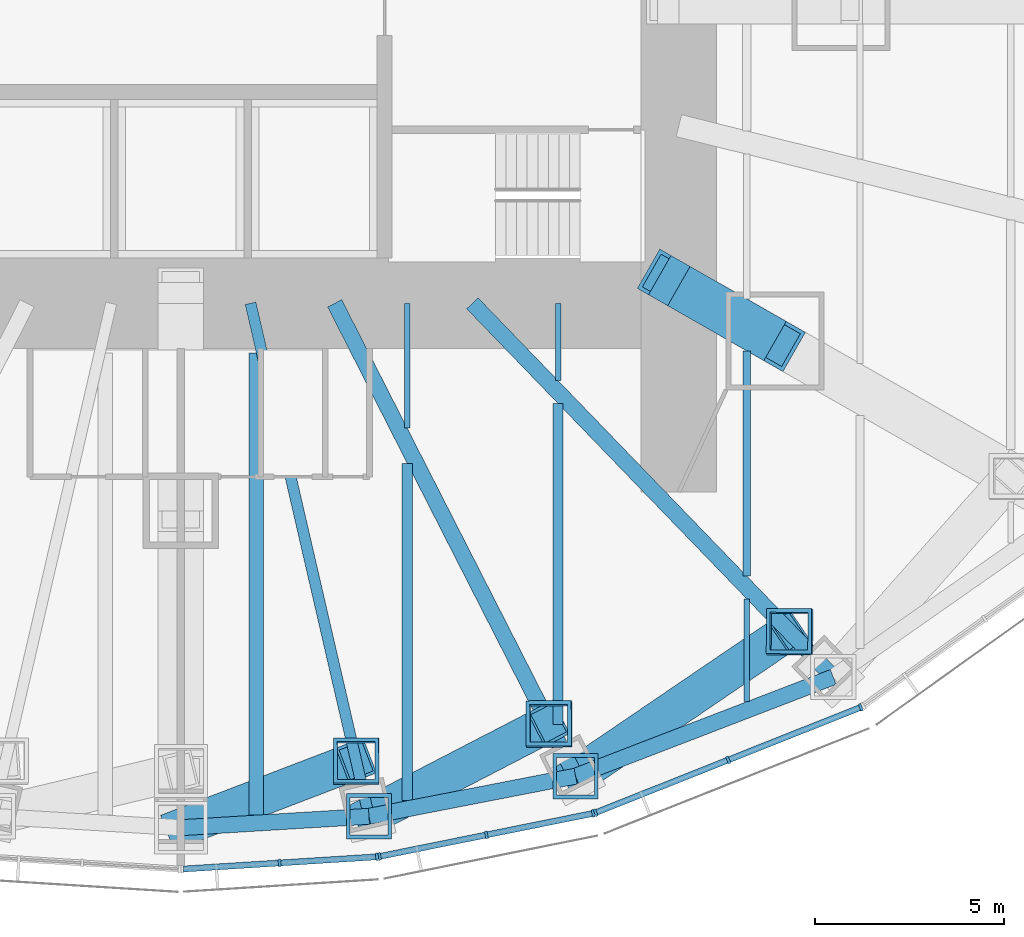
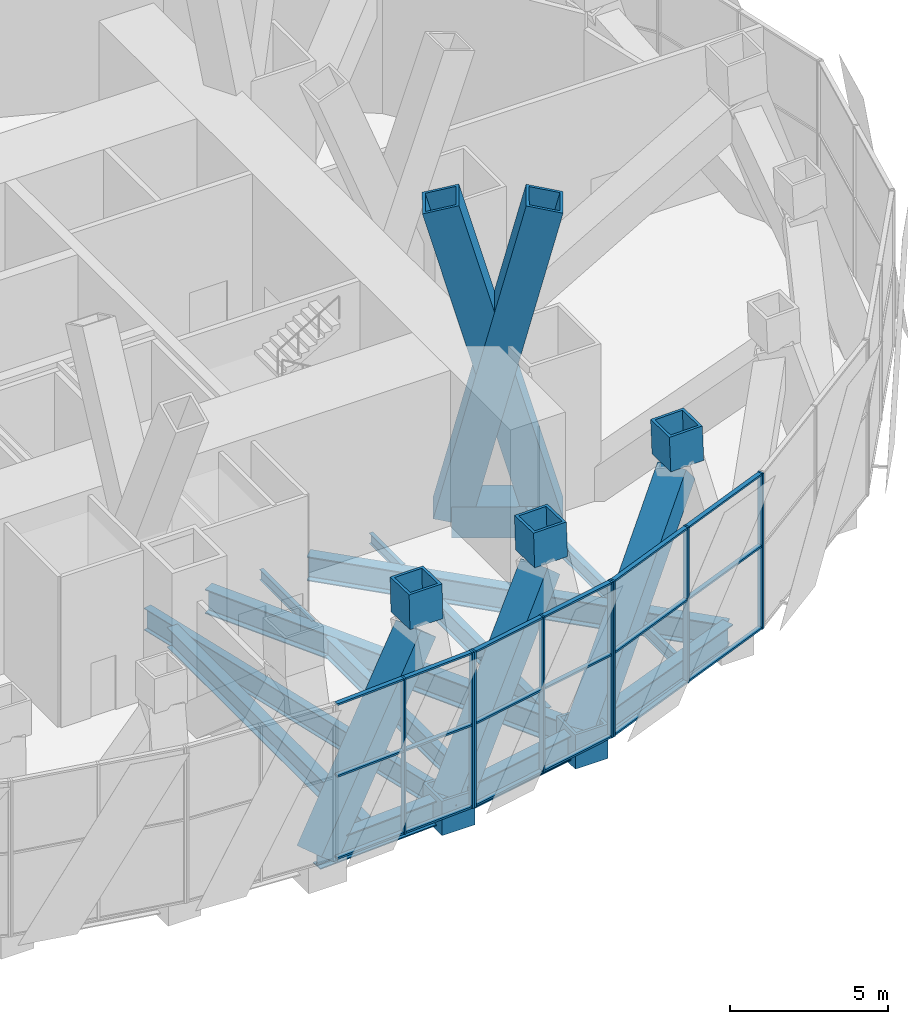
# One storey, part 5 of 21: 36 members, 14 beams, 3 elements without a shape of their own.
"""IFC4 building model written with IfcOpenShell, lengths in metres."""

import ifcopenshell
import ifcopenshell.guid

model = None  # the IFC model being written
_history = None  # IfcOwnerHistory: only IFC2X3 demands one
_inside = {}  # id of a spatial element -> (the spatial element, [elements in it])
_under = {}  # id of a project, library or spatial element -> (it, [spatial elements below it])
_declared = {}  # id of a project -> (the project, [libraries it declares])
_typed = {}  # id of a type object -> (the type object, [elements of that type])
_made_of = {}  # id of a material, layer set ... -> (it, [elements and type objects made of it])


def new_model(schema):
    """Start an empty IFC model of exactly this schema.

    Asked for "IFC4X3", IfcOpenShell would pick the latest addendum, in which some entities
    have other attributes; the version numbers below select the first issue.
    IFC2X3 requires an IfcOwnerHistory on every rooted entity: one is made here for all.
    """
    global model, _history
    if schema == "IFC4X3":
        model = ifcopenshell.file(schema_version=(4, 3, 0, 0))
    else:
        model = ifcopenshell.file(schema=schema)
    _inside.clear()
    _under.clear()
    _declared.clear()
    _typed.clear()
    _made_of.clear()
    _history = None
    if model.schema == "IFC2X3":
        org = make("IfcOrganization", Name="unknown")
        user = make(
            "IfcPersonAndOrganization",
            ThePerson=make("IfcPerson", FamilyName="unknown"),
            TheOrganization=org,
        )
        app = make(
            "IfcApplication",
            ApplicationDeveloper=org,
            Version="unknown",
            ApplicationFullName="unknown",
            ApplicationIdentifier="unknown",
        )
        _history = make(
            "IfcOwnerHistory",
            OwningUser=user,
            OwningApplication=app,
            ChangeAction="ADDED",
            CreationDate=0,
        )
    return model


def make(cls, **values):
    """One entity of the class cls with the attributes given. An attribute that is None is left unset."""
    return model.create_entity(
        cls, **{name: value for name, value in values.items() if value is not None}
    )


def rooted(cls, **values):
    """An entity with a GlobalId (a new one), such as an element, a storey or a relation."""
    return make(cls, GlobalId=ifcopenshell.guid.new(), OwnerHistory=_history, **values)


def si_unit(unit_type, name, prefix=None):
    """IfcSIUnit, for example si_unit("LENGTHUNIT", "METRE", prefix="MILLI")."""
    return make("IfcSIUnit", UnitType=unit_type, Prefix=prefix, Name=name)


def assignment(units):
    """IfcUnitAssignment: the units of a project."""
    return None if units is None else make("IfcUnitAssignment", Units=units)


def point(xyz):
    """IfcCartesianPoint."""
    return None if xyz is None else make("IfcCartesianPoint", Coordinates=xyz)


def direction(xyz):
    """IfcDirection."""
    return None if xyz is None else make("IfcDirection", DirectionRatios=xyz)


def frame(location, z_axis=None, x_axis=None):
    """IfcAxis2Placement3D, a coordinate frame: its origin and axes. An axis left out is left unset."""
    return make(
        "IfcAxis2Placement3D",
        Location=point(location),
        Axis=direction(z_axis),
        RefDirection=direction(x_axis),
    )


def frame_2d(location, x_axis=None):
    """IfcAxis2Placement2D, a coordinate frame in the plane: its origin and x axis."""
    return make(
        "IfcAxis2Placement2D", Location=point(location), RefDirection=direction(x_axis)
    )


def origin():
    """The frame at (0, 0, 0) with its axes left unset."""
    return frame((0.0, 0.0, 0.0))


def origin_2d():
    """The frame at (0, 0) in the plane with its x axis left unset."""
    return frame_2d((0.0, 0.0))


def place(relative_to, where):
    """IfcLocalPlacement: puts the frame where relative to a parent placement (None: the world)."""
    return make(
        "IfcLocalPlacement", PlacementRelTo=relative_to, RelativePlacement=where
    )


def context(
    kind, dimensions, precision=None, world=None, true_north=None, identifier=None
):
    """IfcGeometricRepresentationContext, for example the 3D "Model" context."""
    return make(
        "IfcGeometricRepresentationContext",
        ContextIdentifier=identifier,
        ContextType=kind,
        CoordinateSpaceDimension=dimensions,
        Precision=precision,
        WorldCoordinateSystem=world,
        TrueNorth=true_north,
    )


def subcontext(parent, identifier, kind, view, scale=None):
    """IfcGeometricRepresentationSubContext, for example "Body" below "Model"."""
    return make(
        "IfcGeometricRepresentationSubContext",
        ContextIdentifier=identifier,
        ContextType=kind,
        ParentContext=parent,
        TargetScale=scale,
        TargetView=view,
    )


def project(units=None, contexts=None):
    """IfcProject with its units and contexts."""
    return rooted(
        "IfcProject",
        Name="project",
        RepresentationContexts=contexts,
        UnitsInContext=assignment(units),
    )


def spatial(cls, under=None, at=None, **own):
    """A site, building, storey or space (cls), placed at a placement, below another one or the project."""
    s = rooted(cls, ObjectPlacement=at, **own)
    if under is not None:
        _under.setdefault(under.id(), (under, []))[1].append(s)
    return s


def profile(cls, at=None, kind="AREA", **sizes):
    """A parametric profile (cls). Its sizes go by their IFC names, for example OverallWidth=200.0."""
    return make(cls, ProfileType=kind, Position=at, **sizes)


def rectangle(**sizes):
    """IfcRectangleProfileDef."""
    return profile("IfcRectangleProfileDef", **sizes)


def hollow_rectangle(**sizes):
    """IfcRectangleHollowProfileDef."""
    return profile("IfcRectangleHollowProfileDef", **sizes)


def i_section(**sizes):
    """IfcIShapeProfileDef."""
    return profile("IfcIShapeProfileDef", **sizes)


def extrude(swept, where, along, depth):
    """IfcExtrudedAreaSolid: the profile swept, set in the frame where, extruded along a direction by depth."""
    return make(
        "IfcExtrudedAreaSolid",
        SweptArea=swept,
        Position=where,
        ExtrudedDirection=direction(along),
        Depth=depth,
    )


def shape(context_of_items, identifier, shape_type, items):
    """IfcShapeRepresentation: the items that make up one representation, for example the "Body"."""
    return make(
        "IfcShapeRepresentation",
        ContextOfItems=context_of_items,
        RepresentationIdentifier=identifier,
        RepresentationType=shape_type,
        Items=items,
    )


def material(Name=None, Category=None):
    """IfcMaterial."""
    return make("IfcMaterial", Name=Name, Category=Category)


def material_profile(
    of_material, cross_section, Name=None, Category=None, Priority=None
):
    """IfcMaterialProfile: a cross section and its material."""
    return make(
        "IfcMaterialProfile",
        Name=Name,
        Material=of_material,
        Profile=cross_section,
        Priority=Priority,
        Category=Category,
    )


def profile_set(profiles, Name=None, composite=None):
    """IfcMaterialProfileSet."""
    return make(
        "IfcMaterialProfileSet",
        Name=Name,
        MaterialProfiles=profiles,
        CompositeProfile=composite,
    )


def made_of(thing, what):
    """Note that an element or type object is made of a material, layer set ...; save() writes the relation."""
    if what is not None:
        _made_of.setdefault(what.id(), (what, []))[1].append(thing)
    return thing


def type_object(cls, material=None, **own):
    """A type object (cls), such as IfcWallType, which elements share."""
    return made_of(rooted(cls, **own), material)


def element(
    cls,
    number,
    at=None,
    inside=None,
    cuts=None,
    type_object=None,
    material=None,
    context=None,
    identifier="Body",
    shape_type=None,
    held_by="IfcProductDefinitionShape",
    body=None,
    shapes=None,
    **own,
):
    """One element of the class cls, such as IfcWall. Its Tag is "e" and its number.

    at: its placement. inside: the storey or other place that contains it. cuts: it is an
    opening in that element (IfcRelVoidsElement). A single representation is given by context,
    identifier, shape_type and body (its items); several are given by shapes. held_by: the class
    of the entity that holds the representations. save() writes the other relations.
    """
    e = rooted(cls, Tag="e%d" % number, ObjectPlacement=at, **own)
    if body is not None:
        shapes = [shape(context, identifier, shape_type, body)]
    if shapes is not None:
        e.Representation = make(held_by, Representations=shapes)
    if inside is not None:
        _inside.setdefault(inside.id(), (inside, []))[1].append(e)
    if cuts is not None:
        rooted(
            "IfcRelVoidsElement", RelatingBuildingElement=cuts, RelatedOpeningElement=e
        )
    if type_object is not None:
        _typed.setdefault(type_object.id(), (type_object, []))[1].append(e)
    return made_of(e, material)


def aggregate(whole, parts):
    """IfcRelAggregates: a whole, such as a stair, and the parts it consists of."""
    return rooted("IfcRelAggregates", RelatingObject=whole, RelatedObjects=parts)


def save(model, path):
    """Write the relations noted so far, then the file.

    IfcRelAggregates (storeys below a building ...), IfcRelContainedInSpatialStructure (elements
    in a storey), IfcRelDefinesByType, IfcRelAssociatesMaterial and IfcRelDeclares: one each for
    every whole, place, type object, material and project.
    """
    for whole, parts in _under.values():
        aggregate(whole, parts)
    for where, things in _inside.values():
        rooted(
            "IfcRelContainedInSpatialStructure",
            RelatedElements=things,
            RelatingStructure=where,
        )
    for kind, things in _typed.values():
        rooted("IfcRelDefinesByType", RelatedObjects=things, RelatingType=kind)
    for what, things in _made_of.values():
        rooted("IfcRelAssociatesMaterial", RelatedObjects=things, RelatingMaterial=what)
    for by, libraries in _declared.values():
        rooted("IfcRelDeclares", RelatingContext=by, RelatedDefinitions=libraries)
    model.write(path)


model = new_model("IFC4")

# Units and contexts
model_context = context("Model", 3, precision=1e-05, world=origin(), true_north=direction((0.0, 1.0)))
body_context = subcontext(model_context, "Body", "Model", "MODEL_VIEW")
ifc_project = project(units=[si_unit("LENGTHUNIT", "METRE"), si_unit("AREAUNIT", "SQUARE_METRE"), si_unit("VOLUMEUNIT", "CUBIC_METRE"), si_unit("PLANEANGLEUNIT", "RADIAN"), si_unit("MASSUNIT", "GRAM", prefix="KILO")], contexts=[model_context])

# Site, building, storey
site_placement = place(None, origin())
site = spatial("IfcSite", under=ifc_project, at=site_placement, CompositionType="ELEMENT")
building_placement = place(site_placement, origin())
building = spatial("IfcBuilding", under=site, at=building_placement, Name="Lantaw Convention Tower", CompositionType="ELEMENT")
storey_placement = place(building_placement, frame((0.0, 0.0, 105.39990234375)))
storey = spatial("IfcBuildingStorey", under=building, at=storey_placement, Name="L25", CompositionType="ELEMENT", Elevation=105.39990234375)

# Beams
ifc_material_1 = material(Name="Steel ASTM A992", Category="steel")
ifc_material_profile_1 = material_profile(ifc_material_1, i_section(OverallWidth=0.424072265625, OverallDepth=0.947509765625, WebThickness=0.02392578125, FlangeThickness=0.042724609375, FilletRadius=0.012451171875, at=origin_2d()), Name="W36X302")
ifc_profile_set_1 = profile_set([ifc_material_profile_1], Name="Steel ASTM A992")
beam_type_1 = type_object("IfcBeamType", Name="Beam BC W36X302", PredefinedType="SPANDREL", material=ifc_profile_set_1)
beam_1_placement = place(storey_placement, frame((0.0, -21.89990234375, -0.673583984375), z_axis=(0.998173858406, 0.060406526096, 0.0), x_axis=(-0.060406526096, 0.998173858406, 0.0)))
element("IfcBeam", 1, at=beam_1_placement, inside=storey, type_object=beam_type_1, Name="Belt truss chord 19", PredefinedType="SPANDREL", context=body_context, shape_type="SweptSolid", body=[
    extrude(i_section(OverallWidth=0.424072265625, OverallDepth=0.947509765625, WebThickness=0.02392578125, FlangeThickness=0.042724609375, FilletRadius=0.012451171875, at=origin_2d()), origin(), (0.0, 0.0, 1.0), 4.995361328125),
])
beam_2_placement = place(storey_placement, frame((4.986328125, -21.59814453125, -0.673583984375), z_axis=(0.981636565323, 0.190760723474, 0.0), x_axis=(-0.190760723474, 0.981636565323, 0.0)))
element("IfcBeam", 2, at=beam_2_placement, inside=storey, type_object=beam_type_1, Name="Belt truss chord 20", PredefinedType="SPANDREL", context=body_context, shape_type="SweptSolid", body=[
    extrude(i_section(OverallWidth=0.424072265625, OverallDepth=0.947509765625, WebThickness=0.02392578125, FlangeThickness=0.042724609375, FilletRadius=0.012451171875, at=origin_2d()), origin(), (0.0, 0.0, 1.0), 5.578857421875),
])
beam_3_placement = place(storey_placement, frame((10.462646484375, -20.533935546875, -0.673583984375), z_axis=(0.933232900641, 0.359271976588, 0.0), x_axis=(-0.359271976588, 0.933232900641, 0.0)))
element("IfcBeam", 3, at=beam_3_placement, inside=storey, type_object=beam_type_1, Name="Belt truss chord 21", PredefinedType="SPANDREL", context=body_context, shape_type="SweptSolid", body=[
    extrude(i_section(OverallWidth=0.424072265625, OverallDepth=0.947509765625, WebThickness=0.02392578125, FlangeThickness=0.042724609375, FilletRadius=0.012451171875, at=origin_2d()), origin(), (0.0, 0.0, 1.0), 7.316650390625),
])
ifc_material_profile_2 = material_profile(ifc_material_1, i_section(OverallWidth=0.2919921875, OverallDepth=0.845703125, WebThickness=0.015380859375, FlangeThickness=0.0244140625, FilletRadius=0.01513671875, at=origin_2d()), Name="W33X141")
ifc_profile_set_2 = profile_set([ifc_material_profile_2], Name="Steel ASTM A992")
beam_type_2 = type_object("IfcBeamType", Name="Beam G W33X141", PredefinedType="BEAM", material=ifc_profile_set_2)
beam_4_placement = place(storey_placement, frame((1.846923828125, -8.0, -0.622802734375), z_axis=(0.224952773175, -0.97436966796, 0.0), x_axis=(0.97436966796, 0.224952773175, 0.0)))
element("IfcBeam", 4, at=beam_4_placement, inside=storey, type_object=beam_type_2, Name="Floor girder on ray 20", PredefinedType="BEAM", context=body_context, shape_type="SweptSolid", body=[
    extrude(i_section(OverallWidth=0.2919921875, OverallDepth=0.845703125, WebThickness=0.015380859375, FlangeThickness=0.0244140625, FilletRadius=0.01513671875, at=origin_2d()), origin(), (0.0, 0.0, 1.0), 13.955810546875),
])
ifc_material_profile_3 = material_profile(ifc_material_1, i_section(OverallWidth=0.421630859375, OverallDepth=0.937255859375, WebThickness=0.0224609375, FlangeThickness=0.039794921875, FilletRadius=0.02001953125, at=origin_2d()), Name="W36X282")
ifc_profile_set_3 = profile_set([ifc_material_profile_3], Name="Steel ASTM A992")
beam_type_3 = type_object("IfcBeamType", Name="Beam G W36X282", PredefinedType="BEAM", material=ifc_profile_set_3)
beam_5_placement = place(storey_placement, frame((4.076171875, -8.0, -0.66845703125), z_axis=(0.453997016122, -0.891003203896, 0.0), x_axis=(0.891003203896, 0.453997016122, 0.0)))
element("IfcBeam", 5, at=beam_5_placement, inside=storey, type_object=beam_type_3, Name="Floor girder on ray 21", PredefinedType="BEAM", context=body_context, shape_type="SweptSolid", body=[
    extrude(i_section(OverallWidth=0.421630859375, OverallDepth=0.937255859375, WebThickness=0.0224609375, FlangeThickness=0.039794921875, FilletRadius=0.02001953125, at=origin_2d()), origin(), (0.0, 0.0, 1.0), 14.067138671875),
])
beam_6_placement = place(storey_placement, frame((7.7255859375, -8.0, -0.66845703125), z_axis=(0.694649884291, -0.719347995239, 0.0), x_axis=(0.719347995239, 0.694649884291, 0.0)))
element("IfcBeam", 6, at=beam_6_placement, inside=storey, type_object=beam_type_3, Name="Floor girder on ray 22", PredefinedType="BEAM", context=body_context, shape_type="SweptSolid", body=[
    extrude(i_section(OverallWidth=0.421630859375, OverallDepth=0.937255859375, WebThickness=0.0224609375, FlangeThickness=0.039794921875, FilletRadius=0.02001953125, at=origin_2d()), origin(), (0.0, 0.0, 1.0), 13.769775390625),
])
ifc_material_profile_4 = material_profile(ifc_material_1, i_section(OverallWidth=0.140380859375, OverallDepth=0.40380859375, WebThickness=0.007080078125, FlangeThickness=0.01123046875, FilletRadius=0.01025390625, at=origin_2d()), Name="W16X31")
ifc_profile_set_4 = profile_set([ifc_material_profile_4], Name="Steel ASTM A992")
beam_type_4 = type_object("IfcBeamType", Name="Beam J W16X31", PredefinedType="JOIST", material=ifc_profile_set_4)
beam_7_placement = place(storey_placement, frame((6.0, -11.311279296875, -0.40185546875), z_axis=(0.0, 1.0, 0.0), x_axis=(-1.0, 0.0, 0.0)))
element("IfcBeam", 7, at=beam_7_placement, inside=storey, type_object=beam_type_4, Name="Floor joist", PredefinedType="JOIST", context=body_context, shape_type="SweptSolid", body=[
    extrude(i_section(OverallWidth=0.140380859375, OverallDepth=0.40380859375, WebThickness=0.007080078125, FlangeThickness=0.01123046875, FilletRadius=0.01025390625, at=origin_2d()), origin(), (0.0, 0.0, 1.0), 3.311279296875),
])
beam_8_placement = place(storey_placement, frame((10.0, -10.0517578125, -0.40185546875), z_axis=(0.0, 1.0, 0.0), x_axis=(-1.0, 0.0, 0.0)))
element("IfcBeam", 8, at=beam_8_placement, inside=storey, type_object=beam_type_4, Name="Floor joist", PredefinedType="JOIST", context=body_context, shape_type="SweptSolid", body=[
    extrude(i_section(OverallWidth=0.140380859375, OverallDepth=0.40380859375, WebThickness=0.007080078125, FlangeThickness=0.01123046875, FilletRadius=0.01025390625, at=origin_2d()), origin(), (0.0, 0.0, 1.0), 2.0517578125),
])
ifc_material_profile_5 = material_profile(ifc_material_1, i_section(OverallWidth=0.15234375, OverallDepth=0.449462890625, WebThickness=0.007568359375, FlangeThickness=0.0107421875, FilletRadius=0.01025390625, at=origin_2d()), Name="W18X35")
ifc_profile_set_5 = profile_set([ifc_material_profile_5], Name="Steel ASTM A992")
beam_type_5 = type_object("IfcBeamType", Name="Beam J W18X35", PredefinedType="JOIST", material=ifc_profile_set_5)
beam_9_placement = place(storey_placement, frame((15.0, -18.559814453125, -0.4248046875), z_axis=(0.0, 1.0, 0.0), x_axis=(-1.0, 0.0, 0.0)))
element("IfcBeam", 9, at=beam_9_placement, inside=storey, type_object=beam_type_5, Name="Floor joist", PredefinedType="JOIST", context=body_context, shape_type="SweptSolid", body=[
    extrude(i_section(OverallWidth=0.15234375, OverallDepth=0.449462890625, WebThickness=0.007568359375, FlangeThickness=0.0107421875, FilletRadius=0.01025390625, at=origin_2d()), origin(), (0.0, 0.0, 1.0), 2.723388671875),
])
ifc_material_profile_6 = material_profile(ifc_material_1, i_section(OverallWidth=0.2099609375, OverallDepth=0.535888671875, WebThickness=0.010986328125, FlangeThickness=0.017333984375, FilletRadius=0.012939453125, at=origin_2d()), Name="W21X68")
ifc_profile_set_6 = profile_set([ifc_material_profile_6], Name="Steel ASTM A992")
beam_type_6 = type_object("IfcBeamType", Name="Beam J W21X68", PredefinedType="JOIST", material=ifc_profile_set_6)
beam_10_placement = place(storey_placement, frame((15.0, -15.2294921875, -0.4677734375), z_axis=(0.0, 1.0, 0.0), x_axis=(-1.0, 0.0, 0.0)))
element("IfcBeam", 10, at=beam_10_placement, inside=storey, type_object=beam_type_6, Name="Floor joist", PredefinedType="JOIST", context=body_context, shape_type="SweptSolid", body=[
    extrude(i_section(OverallWidth=0.2099609375, OverallDepth=0.535888671875, WebThickness=0.010986328125, FlangeThickness=0.017333984375, FilletRadius=0.012939453125, at=origin_2d()), origin(), (0.0, 0.0, 1.0), 5.967041015625),
])
ifc_material_profile_7 = material_profile(ifc_material_1, i_section(OverallWidth=0.2666015625, OverallDepth=0.7568359375, WebThickness=0.013916015625, FlangeThickness=0.019287109375, FilletRadius=0.0126953125, at=origin_2d()), Name="W30X108")
ifc_profile_set_7 = profile_set([ifc_material_profile_7], Name="Steel ASTM A992")
beam_type_7 = type_object("IfcBeamType", Name="Beam J W30X108", PredefinedType="JOIST", material=ifc_profile_set_7)
beam_11_placement = place(storey_placement, frame((10.0, -19.16162109375, -0.578369140625), z_axis=(0.0, 1.0, 0.0), x_axis=(-1.0, 0.0, 0.0)))
element("IfcBeam", 11, at=beam_11_placement, inside=storey, type_object=beam_type_7, Name="Floor joist", PredefinedType="JOIST", context=body_context, shape_type="SweptSolid", body=[
    extrude(i_section(OverallWidth=0.2666015625, OverallDepth=0.7568359375, WebThickness=0.013916015625, FlangeThickness=0.019287109375, FilletRadius=0.0126953125, at=origin_2d()), origin(), (0.0, 0.0, 1.0), 8.5029296875),
])
ifc_material_profile_8 = material_profile(ifc_material_1, i_section(OverallWidth=0.2666015625, OverallDepth=0.76953125, WebThickness=0.015625, FlangeThickness=0.025390625, FilletRadius=0.0126953125, at=origin_2d()), Name="W30X132")
ifc_profile_set_8 = profile_set([ifc_material_profile_8], Name="Steel ASTM A992")
beam_type_8 = type_object("IfcBeamType", Name="Beam J W30X132", PredefinedType="JOIST", material=ifc_profile_set_8)
beam_12_placement = place(storey_placement, frame((6.0, -21.18505859375, -0.584716796875), z_axis=(0.0, 1.0, 0.0), x_axis=(-1.0, 0.0, 0.0)))
element("IfcBeam", 12, at=beam_12_placement, inside=storey, type_object=beam_type_8, Name="Floor joist", PredefinedType="JOIST", context=body_context, shape_type="SweptSolid", body=[
    extrude(i_section(OverallWidth=0.2666015625, OverallDepth=0.76953125, WebThickness=0.015625, FlangeThickness=0.025390625, FilletRadius=0.0126953125, at=origin_2d()), origin(), (0.0, 0.0, 1.0), 8.945068359375),
])
ifc_material_profile_9 = material_profile(ifc_material_1, i_section(OverallWidth=0.381103515625, OverallDepth=0.772216796875, WebThickness=0.0166015625, FlangeThickness=0.027099609375, FilletRadius=0.0146484375, at=origin_2d()), Name="W30X173")
ifc_profile_set_9 = profile_set([ifc_material_profile_9], Name="Steel ASTM A992")
beam_type_9 = type_object("IfcBeamType", Name="Beam J W30X173", PredefinedType="JOIST", material=ifc_profile_set_9)
beam_13_placement = place(storey_placement, frame((2.0, -21.56640625, -0.5859375), z_axis=(0.0, 1.0, 0.0), x_axis=(-1.0, 0.0, 0.0)))
element("IfcBeam", 13, at=beam_13_placement, inside=storey, type_object=beam_type_9, Name="Floor joist", PredefinedType="JOIST", context=body_context, shape_type="SweptSolid", body=[
    extrude(i_section(OverallWidth=0.381103515625, OverallDepth=0.772216796875, WebThickness=0.0166015625, FlangeThickness=0.027099609375, FilletRadius=0.0146484375, at=origin_2d()), origin(), (0.0, 0.0, 1.0), 12.254150390625),
])
ifc_material_2 = material(Name="Steel EN 10025-3 S460N", Category="steel")
ifc_material_profile_10 = material_profile(ifc_material_2, hollow_rectangle(XDim=1.199951171875, YDim=1.199951171875, WallThickness=0.10009765625, at=origin_2d()), Name="BOX1200X100")
ifc_profile_set_10 = profile_set([ifc_material_profile_10], Name="Steel EN 10025-3 S460N")
beam_type_10 = type_object("IfcBeamType", Name="Beam OC BOX1200X100", PredefinedType="BEAM", material=ifc_profile_set_10)
beam_14_placement = place(storey_placement, frame((13.199951171875, -7.54296875, -0.7998046875), z_axis=(0.868263603466, -0.496103129295, 0.0), x_axis=(0.496103129295, 0.868263603466, 0.0)))
element("IfcBeam", 14, at=beam_14_placement, inside=storey, type_object=beam_type_10, Name="Outrigger chord on ray 23", PredefinedType="BEAM", context=body_context, shape_type="SweptSolid", body=[
    extrude(hollow_rectangle(XDim=1.199951171875, YDim=1.199951171875, WallThickness=0.10009765625, at=origin_2d()), origin(), (0.0, 0.0, 1.0), 2.93701171875),
])

# Curtain wall, members
ifc_material_3 = material(Name="Aluminium framed curtain wall", Category="aluminium")
curtain_wall_type = type_object("IfcCurtainWallType", Name="Plant floor louvre wall, pale aluminium", PredefinedType="USERDEFINED", material=ifc_material_3)
curtain_wall_1_placement = place(storey_placement, origin())
curtain_wall_1 = element("IfcCurtainWall", 15, at=curtain_wall_1_placement, inside=storey, type_object=curtain_wall_type, Name="Plant floor louvre wall, pale aluminium L25", ObjectType="LOUVRE WALL", PredefinedType="USERDEFINED")
ifc_material_4 = material(Name="Aluminium 6063-T6", Category="aluminium")
ifc_material_profile_11 = material_profile(ifc_material_4, rectangle(XDim=0.199951171875, YDim=0.070068359375, at=origin_2d()), Name="CW-LV mullion 70x200")
ifc_profile_set_11 = profile_set([ifc_material_profile_11], Name="Aluminium 6063-T6")
member_type_1 = type_object("IfcMemberType", Name="CW-LV mullion 70x200", PredefinedType="MULLION", material=ifc_profile_set_11)
member_1_placement = place(storey_placement, frame((2.616943359375, -22.8349609375, -0.199951171875), z_axis=(0.0, 0.0, 1.0), x_axis=(-0.062958373078, 0.998016153807, 0.0)))
member_1 = element("IfcMember", 16, at=member_1_placement, type_object=member_type_1, Name="CW-LV mullion 2", PredefinedType="MULLION", context=body_context, shape_type="SweptSolid", body=[
    extrude(rectangle(XDim=0.199951171875, YDim=0.070068359375, at=origin_2d()), origin(), (0.0, 0.0, 1.0), 6.0),
])
member_2_placement = place(storey_placement, frame((5.19873046875, -22.672119140625, -0.199951171875), z_axis=(0.0, 0.0, 1.0), x_axis=(-0.062958373078, 0.998016153807, 0.0)))
member_2 = element("IfcMember", 17, at=member_2_placement, type_object=member_type_1, Name="CW-LV mullion 3", PredefinedType="MULLION", context=body_context, shape_type="SweptSolid", body=[
    extrude(rectangle(XDim=0.199951171875, YDim=0.070068359375, at=origin_2d()), origin(), (0.0, 0.0, 1.0), 6.0),
])

curtain_wall_2_placement = place(storey_placement, origin())
curtain_wall_2 = element("IfcCurtainWall", 18, at=curtain_wall_2_placement, inside=storey, type_object=curtain_wall_type, Name="Plant floor louvre wall, pale aluminium L25", ObjectType="LOUVRE WALL", PredefinedType="USERDEFINED")
member_3_placement = place(storey_placement, frame((5.26806640625, -22.662841796875, -0.199951171875), z_axis=(0.0, 0.0, 1.0), x_axis=(-0.197789067813, 0.980244604501, 0.0)))
member_3 = element("IfcMember", 19, at=member_3_placement, type_object=member_type_1, Name="CW-LV mullion 1", PredefinedType="MULLION", context=body_context, shape_type="SweptSolid", body=[
    extrude(rectangle(XDim=0.199951171875, YDim=0.070068359375, at=origin_2d()), origin(), (0.0, 0.0, 1.0), 6.0),
])
member_4_placement = place(storey_placement, frame((8.097900390625, -22.092041015625, -0.199951171875), z_axis=(0.0, 0.0, 1.0), x_axis=(-0.197789067813, 0.980244604501, 0.0)))
member_4 = element("IfcMember", 20, at=member_4_placement, type_object=member_type_1, Name="CW-LV mullion 2", PredefinedType="MULLION", context=body_context, shape_type="SweptSolid", body=[
    extrude(rectangle(XDim=0.199951171875, YDim=0.070068359375, at=origin_2d()), origin(), (0.0, 0.0, 1.0), 6.0),
])
member_5_placement = place(storey_placement, frame((10.927734375, -21.52099609375, -0.199951171875), z_axis=(0.0, 0.0, 1.0), x_axis=(-0.197789067813, 0.980244604501, 0.0)))
member_5 = element("IfcMember", 21, at=member_5_placement, type_object=member_type_1, Name="CW-LV mullion 3", PredefinedType="MULLION", context=body_context, shape_type="SweptSolid", body=[
    extrude(rectangle(XDim=0.199951171875, YDim=0.070068359375, at=origin_2d()), origin(), (0.0, 0.0, 1.0), 6.0),
])

curtain_wall_3_placement = place(storey_placement, origin())
curtain_wall_3 = element("IfcCurtainWall", 22, at=curtain_wall_3_placement, inside=storey, type_object=curtain_wall_type, Name="Plant floor louvre wall, pale aluminium L25", ObjectType="LOUVRE WALL", PredefinedType="USERDEFINED")
member_6_placement = place(storey_placement, frame((10.994384765625, -21.501220703125, -0.199951171875), z_axis=(0.0, 0.0, 1.0), x_axis=(-0.369171840425, 0.929361152748, 0.0)))
member_6 = element("IfcMember", 23, at=member_6_placement, type_object=member_type_1, Name="CW-LV mullion 1", PredefinedType="MULLION", context=body_context, shape_type="SweptSolid", body=[
    extrude(rectangle(XDim=0.199951171875, YDim=0.070068359375, at=origin_2d()), origin(), (0.0, 0.0, 1.0), 6.0),
])
member_7_placement = place(storey_placement, frame((14.508544921875, -20.105224609375, -0.199951171875), z_axis=(0.0, 0.0, 1.0), x_axis=(-0.369171840425, 0.929361152748, 0.0)))
member_7 = element("IfcMember", 24, at=member_7_placement, type_object=member_type_1, Name="CW-LV mullion 2", PredefinedType="MULLION", context=body_context, shape_type="SweptSolid", body=[
    extrude(rectangle(XDim=0.199951171875, YDim=0.070068359375, at=origin_2d()), origin(), (0.0, 0.0, 1.0), 6.0),
])
member_8_placement = place(storey_placement, frame((18.0224609375, -18.70947265625, -0.199951171875), z_axis=(0.0, 0.0, 1.0), x_axis=(-0.369171840425, 0.929361152748, 0.0)))
member_8 = element("IfcMember", 25, at=member_8_placement, type_object=member_type_1, Name="CW-LV mullion 3", PredefinedType="MULLION", context=body_context, shape_type="SweptSolid", body=[
    extrude(rectangle(XDim=0.199951171875, YDim=0.070068359375, at=origin_2d()), origin(), (0.0, 0.0, 1.0), 6.0),
])

# Member
ifc_material_profile_12 = material_profile(ifc_material_4, rectangle(XDim=0.159912109375, YDim=0.070068359375, at=origin_2d()), Name="CW-LV transom 70x160")
ifc_profile_set_12 = profile_set([ifc_material_profile_12], Name="Aluminium 6063-T6")
member_type_2 = type_object("IfcMemberType", Name="CW-LV transom 70x160", PredefinedType="USERDEFINED", material=ifc_profile_set_12)
member_9_placement = place(storey_placement, frame((0.06982421875, -22.99560546875, -0.164794921875), z_axis=(0.998016942507, 0.062945869357, 0.0), x_axis=(-0.062945869357, 0.998016942507, 0.0)))
member_9 = element("IfcMember", 26, at=member_9_placement, type_object=member_type_2, Name="CW-LV transom 1.1", ObjectType="TRANSOM", PredefinedType="USERDEFINED", context=body_context, shape_type="SweptSolid", body=[
    extrude(rectangle(XDim=0.159912109375, YDim=0.070068359375, at=origin_2d()), origin(), (0.0, 0.0, 1.0), 2.51708984375),
])

member_10_placement = place(storey_placement, frame((0.06982421875, -22.99560546875, 3.0), z_axis=(0.998016942507, 0.062945869357, 0.0), x_axis=(-0.062945869357, 0.998016942507, 0.0)))
member_10 = element("IfcMember", 27, at=member_10_placement, type_object=member_type_2, Name="CW-LV transom 1.2", ObjectType="TRANSOM", PredefinedType="USERDEFINED", context=body_context, shape_type="SweptSolid", body=[
    extrude(rectangle(XDim=0.159912109375, YDim=0.070068359375, at=origin_2d()), origin(), (0.0, 0.0, 1.0), 2.51708984375),
])

member_11_placement = place(storey_placement, frame((0.06982421875, -22.99560546875, 5.76513671875), z_axis=(0.998016942507, 0.062945869357, 0.0), x_axis=(-0.062945869357, 0.998016942507, 0.0)))
member_11 = element("IfcMember", 28, at=member_11_placement, type_object=member_type_2, Name="CW-LV transom 1.3", ObjectType="TRANSOM", PredefinedType="USERDEFINED", context=body_context, shape_type="SweptSolid", body=[
    extrude(rectangle(XDim=0.159912109375, YDim=0.070068359375, at=origin_2d()), origin(), (0.0, 0.0, 1.0), 2.51708984375),
])

member_12_placement = place(storey_placement, frame((2.65185546875, -22.832763671875, -0.164794921875), z_axis=(0.998016558163, 0.062951962897, 0.0), x_axis=(-0.062951962897, 0.998016558163, 0.0)))
member_12 = element("IfcMember", 29, at=member_12_placement, type_object=member_type_2, Name="CW-LV transom 2.1", ObjectType="TRANSOM", PredefinedType="USERDEFINED", context=body_context, shape_type="SweptSolid", body=[
    extrude(rectangle(XDim=0.159912109375, YDim=0.070068359375, at=origin_2d()), origin(), (0.0, 0.0, 1.0), 2.516845703125),
])

member_13_placement = place(storey_placement, frame((2.65185546875, -22.832763671875, 3.0), z_axis=(0.998016558163, 0.062951962897, 0.0), x_axis=(-0.062951962897, 0.998016558163, 0.0)))
member_13 = element("IfcMember", 30, at=member_13_placement, type_object=member_type_2, Name="CW-LV transom 2.2", ObjectType="TRANSOM", PredefinedType="USERDEFINED", context=body_context, shape_type="SweptSolid", body=[
    extrude(rectangle(XDim=0.159912109375, YDim=0.070068359375, at=origin_2d()), origin(), (0.0, 0.0, 1.0), 2.516845703125),
])

member_14_placement = place(storey_placement, frame((2.65185546875, -22.832763671875, 5.76513671875), z_axis=(0.998016558163, 0.062951962897, 0.0), x_axis=(-0.062951962897, 0.998016558163, 0.0)))
member_14 = element("IfcMember", 31, at=member_14_placement, type_object=member_type_2, Name="CW-LV transom 2.3", ObjectType="TRANSOM", PredefinedType="USERDEFINED", context=body_context, shape_type="SweptSolid", body=[
    extrude(rectangle(XDim=0.159912109375, YDim=0.070068359375, at=origin_2d()), origin(), (0.0, 0.0, 1.0), 2.516845703125),
])

aggregate(curtain_wall_1, [member_1, member_2, member_9, member_10, member_11, member_12, member_13, member_14])

member_15_placement = place(storey_placement, frame((5.30224609375, -22.656005859375, -0.164794921875), z_axis=(0.980245910217, 0.197782596562, 0.0), x_axis=(-0.197782596562, 0.980245910217, 0.0)))
member_15 = element("IfcMember", 32, at=member_15_placement, type_object=member_type_2, Name="CW-LV transom 1.1", ObjectType="TRANSOM", PredefinedType="USERDEFINED", context=body_context, shape_type="SweptSolid", body=[
    extrude(rectangle(XDim=0.159912109375, YDim=0.070068359375, at=origin_2d()), origin(), (0.0, 0.0, 1.0), 2.81689453125),
])

member_16_placement = place(storey_placement, frame((5.30224609375, -22.656005859375, 3.0), z_axis=(0.980245910217, 0.197782596562, 0.0), x_axis=(-0.197782596562, 0.980245910217, 0.0)))
member_16 = element("IfcMember", 33, at=member_16_placement, type_object=member_type_2, Name="CW-LV transom 1.2", ObjectType="TRANSOM", PredefinedType="USERDEFINED", context=body_context, shape_type="SweptSolid", body=[
    extrude(rectangle(XDim=0.159912109375, YDim=0.070068359375, at=origin_2d()), origin(), (0.0, 0.0, 1.0), 2.81689453125),
])

member_17_placement = place(storey_placement, frame((5.30224609375, -22.656005859375, 5.76513671875), z_axis=(0.980245910217, 0.197782596562, 0.0), x_axis=(-0.197782596562, 0.980245910217, 0.0)))
member_17 = element("IfcMember", 34, at=member_17_placement, type_object=member_type_2, Name="CW-LV transom 1.3", ObjectType="TRANSOM", PredefinedType="USERDEFINED", context=body_context, shape_type="SweptSolid", body=[
    extrude(rectangle(XDim=0.159912109375, YDim=0.070068359375, at=origin_2d()), origin(), (0.0, 0.0, 1.0), 2.81689453125),
])

member_18_placement = place(storey_placement, frame((8.132080078125, -22.0849609375, -0.164794921875), z_axis=(0.980245910217, 0.197782596562, 0.0), x_axis=(-0.197782596562, 0.980245910217, 0.0)))
member_18 = element("IfcMember", 35, at=member_18_placement, type_object=member_type_2, Name="CW-LV transom 2.1", ObjectType="TRANSOM", PredefinedType="USERDEFINED", context=body_context, shape_type="SweptSolid", body=[
    extrude(rectangle(XDim=0.159912109375, YDim=0.070068359375, at=origin_2d()), origin(), (0.0, 0.0, 1.0), 2.81689453125),
])

member_19_placement = place(storey_placement, frame((8.132080078125, -22.0849609375, 3.0), z_axis=(0.980245910217, 0.197782596562, 0.0), x_axis=(-0.197782596562, 0.980245910217, 0.0)))
member_19 = element("IfcMember", 36, at=member_19_placement, type_object=member_type_2, Name="CW-LV transom 2.2", ObjectType="TRANSOM", PredefinedType="USERDEFINED", context=body_context, shape_type="SweptSolid", body=[
    extrude(rectangle(XDim=0.159912109375, YDim=0.070068359375, at=origin_2d()), origin(), (0.0, 0.0, 1.0), 2.81689453125),
])

member_20_placement = place(storey_placement, frame((8.132080078125, -22.0849609375, 5.76513671875), z_axis=(0.980245910217, 0.197782596562, 0.0), x_axis=(-0.197782596562, 0.980245910217, 0.0)))
member_20 = element("IfcMember", 37, at=member_20_placement, type_object=member_type_2, Name="CW-LV transom 2.3", ObjectType="TRANSOM", PredefinedType="USERDEFINED", context=body_context, shape_type="SweptSolid", body=[
    extrude(rectangle(XDim=0.159912109375, YDim=0.070068359375, at=origin_2d()), origin(), (0.0, 0.0, 1.0), 2.81689453125),
])

aggregate(curtain_wall_2, [member_3, member_4, member_5, member_15, member_16, member_17, member_18, member_19, member_20])

member_21_placement = place(storey_placement, frame((11.027099609375, -21.48828125, -0.164794921875), z_axis=(0.929345282999, 0.369211788772, 0.0), x_axis=(-0.369211788772, 0.929345282999, 0.0)))
member_21 = element("IfcMember", 38, at=member_21_placement, type_object=member_type_2, Name="CW-LV transom 1.1", ObjectType="TRANSOM", PredefinedType="USERDEFINED", context=body_context, shape_type="SweptSolid", body=[
    extrude(rectangle(XDim=0.159912109375, YDim=0.070068359375, at=origin_2d()), origin(), (0.0, 0.0, 1.0), 3.7109375),
])

member_22_placement = place(storey_placement, frame((11.027099609375, -21.48828125, 3.0), z_axis=(0.929345282999, 0.369211788772, 0.0), x_axis=(-0.369211788772, 0.929345282999, 0.0)))
member_22 = element("IfcMember", 39, at=member_22_placement, type_object=member_type_2, Name="CW-LV transom 1.2", ObjectType="TRANSOM", PredefinedType="USERDEFINED", context=body_context, shape_type="SweptSolid", body=[
    extrude(rectangle(XDim=0.159912109375, YDim=0.070068359375, at=origin_2d()), origin(), (0.0, 0.0, 1.0), 3.7109375),
])

member_23_placement = place(storey_placement, frame((11.027099609375, -21.48828125, 5.76513671875), z_axis=(0.929345282999, 0.369211788772, 0.0), x_axis=(-0.369211788772, 0.929345282999, 0.0)))
member_23 = element("IfcMember", 40, at=member_23_placement, type_object=member_type_2, Name="CW-LV transom 1.3", ObjectType="TRANSOM", PredefinedType="USERDEFINED", context=body_context, shape_type="SweptSolid", body=[
    extrude(rectangle(XDim=0.159912109375, YDim=0.070068359375, at=origin_2d()), origin(), (0.0, 0.0, 1.0), 3.7109375),
])

member_24_placement = place(storey_placement, frame((14.541015625, -20.09228515625, -0.164794921875), z_axis=(0.929376820828, 0.369132394823, 0.0), x_axis=(-0.369132394823, 0.929376820828, 0.0)))
member_24 = element("IfcMember", 41, at=member_24_placement, type_object=member_type_2, Name="CW-LV transom 2.1", ObjectType="TRANSOM", PredefinedType="USERDEFINED", context=body_context, shape_type="SweptSolid", body=[
    extrude(rectangle(XDim=0.159912109375, YDim=0.070068359375, at=origin_2d()), origin(), (0.0, 0.0, 1.0), 3.711181640625),
])

member_25_placement = place(storey_placement, frame((14.541015625, -20.09228515625, 3.0), z_axis=(0.929376820828, 0.369132394823, 0.0), x_axis=(-0.369132394823, 0.929376820828, 0.0)))
member_25 = element("IfcMember", 42, at=member_25_placement, type_object=member_type_2, Name="CW-LV transom 2.2", ObjectType="TRANSOM", PredefinedType="USERDEFINED", context=body_context, shape_type="SweptSolid", body=[
    extrude(rectangle(XDim=0.159912109375, YDim=0.070068359375, at=origin_2d()), origin(), (0.0, 0.0, 1.0), 3.711181640625),
])

member_26_placement = place(storey_placement, frame((14.541015625, -20.09228515625, 5.76513671875), z_axis=(0.929376820828, 0.369132394823, 0.0), x_axis=(-0.369132394823, 0.929376820828, 0.0)))
member_26 = element("IfcMember", 43, at=member_26_placement, type_object=member_type_2, Name="CW-LV transom 2.3", ObjectType="TRANSOM", PredefinedType="USERDEFINED", context=body_context, shape_type="SweptSolid", body=[
    extrude(rectangle(XDim=0.159912109375, YDim=0.070068359375, at=origin_2d()), origin(), (0.0, 0.0, 1.0), 3.711181640625),
])

aggregate(curtain_wall_3, [member_6, member_7, member_8, member_21, member_22, member_23, member_24, member_25, member_26])

# Members
ifc_material_5 = material(Name="Steel ASTM A572 Grade 50", Category="steel")
ifc_material_profile_13 = material_profile(ifc_material_5, hollow_rectangle(XDim=1.0, YDim=1.0, WallThickness=0.080078125, at=origin_2d()), Name="BOX1000X80")
ifc_profile_set_13 = profile_set([ifc_material_profile_13], Name="Steel ASTM A572 Grade 50")
member_type_3 = type_object("IfcMemberType", Name="Member BT BOX1000X80", PredefinedType="BRACE", material=ifc_profile_set_13)
member_27_placement = place(storey_placement, frame((0.0, -21.89990234375, -0.673583984375), z_axis=(0.595986492675, 0.228358116872, 0.769839380006), x_axis=(-0.357794793445, 0.933800238693, 0.0)))
element("IfcMember", 44, at=member_27_placement, inside=storey, type_object=member_type_3, Name="Belt truss diagonal 19", PredefinedType="BRACE", context=body_context, shape_type="SweptSolid", body=[
    extrude(hollow_rectangle(XDim=1.0, YDim=1.0, WallThickness=0.080078125, at=origin_2d()), origin(), (0.0, 0.0, 1.0), 7.7939453125),
])
member_28_placement = place(storey_placement, frame((4.986328125, -21.59814453125, -0.673583984375), z_axis=(0.591788692092, 0.306361233095, 0.745606423503), x_axis=(-0.459735004718, 0.888056149935, 0.0)))
element("IfcMember", 45, at=member_28_placement, inside=storey, type_object=member_type_3, Name="Belt truss diagonal 20", PredefinedType="BRACE", context=body_context, shape_type="SweptSolid", body=[
    extrude(hollow_rectangle(XDim=1.0, YDim=1.0, WallThickness=0.080078125, at=origin_2d()), origin(), (0.0, 0.0, 1.0), 8.047119140625),
])
member_29_placement = place(storey_placement, frame((10.462646484375, -20.533935546875, -0.673583984375), z_axis=(0.621642880465, 0.422533588483, 0.659564625925), x_axis=(-0.562143007947, 0.827040046562, 0.0)))
element("IfcMember", 46, at=member_29_placement, inside=storey, type_object=member_type_3, Name="Belt truss diagonal 21", PredefinedType="BRACE", context=body_context, shape_type="SweptSolid", body=[
    extrude(hollow_rectangle(XDim=1.0, YDim=1.0, WallThickness=0.080078125, at=origin_2d()), origin(), (0.0, 0.0, 1.0), 9.096923828125),
])
ifc_material_6 = material(Name="Cast steel ASTM A148 Grade 80-50", Category="steel")
ifc_material_profile_14 = material_profile(ifc_material_6, hollow_rectangle(XDim=1.199951171875, YDim=1.199951171875, WallThickness=0.10009765625, at=origin_2d()), Name="BOX1200X100")
ifc_profile_set_14 = profile_set([ifc_material_profile_14], Name="Cast steel ASTM A148 Grade 80-50")
member_type_4 = type_object("IfcMemberType", Name="Member CN BOX1200X100", PredefinedType="USERDEFINED", material=ifc_profile_set_14)
member_30_placement = place(storey_placement, frame((4.986328125, -21.59814453125, -1.31982421875), z_axis=(0.0, 0.0, 1.0), x_axis=(1.0, 0.0, 0.0)))
element("IfcMember", 47, at=member_30_placement, inside=storey, type_object=member_type_4, Name="Cast steel column node", ObjectType="COLUMN NODE", PredefinedType="USERDEFINED", context=body_context, shape_type="SweptSolid", body=[
    extrude(hollow_rectangle(XDim=1.199951171875, YDim=1.199951171875, WallThickness=0.10009765625, at=origin_2d()), origin(), (0.0, 0.0, 1.0), 1.31982421875),
])
member_31_placement = place(storey_placement, frame((4.653564453125, -20.156982421875, 5.85009765625), z_axis=(-0.006471628183, 0.027920453018, 0.999589198787), x_axis=(0.999978671347, 0.001060642418, 0.006444523953)))
element("IfcMember", 48, at=member_31_placement, inside=storey, type_object=member_type_4, Name="Cast steel column node", ObjectType="COLUMN NODE", PredefinedType="USERDEFINED", context=body_context, shape_type="SweptSolid", body=[
    extrude(hollow_rectangle(XDim=1.199951171875, YDim=1.199951171875, WallThickness=0.10009765625, at=origin_2d()), origin(), (0.0, 0.0, 1.0), 1.3203125),
])
member_32_placement = place(storey_placement, frame((10.462646484375, -20.533935546875, -1.31982421875), z_axis=(0.0, 0.0, 1.0), x_axis=(1.0, 0.0, 0.0)))
element("IfcMember", 49, at=member_32_placement, inside=storey, type_object=member_type_4, Name="Cast steel column node", ObjectType="COLUMN NODE", PredefinedType="USERDEFINED", context=body_context, shape_type="SweptSolid", body=[
    extrude(hollow_rectangle(XDim=1.199951171875, YDim=1.199951171875, WallThickness=0.10009765625, at=origin_2d()), origin(), (0.0, 0.0, 1.0), 1.31982421875),
])
for number, where, z_axis, x_axis, name in (
    (50, (9.76708984375, -19.1689453125, 5.844970703125), (-0.014049204278, 0.027358976753, 0.999526941233), (0.999896306396, 0.003545230888, 0.013957356226), "Cast steel column node"),
    (51, (16.14990234375, -16.723876953125, 5.83447265625), (-0.024397586421, 0.025506567622, 0.999376892261), (0.999690962829, -0.004145682845, 0.024511061832), "Cast steel column node"),
):
    element("IfcMember", number, at=place(storey_placement, frame(where, z_axis=z_axis, x_axis=x_axis)), inside=storey, type_object=member_type_4, Name=name, ObjectType="COLUMN NODE", PredefinedType="USERDEFINED", context=body_context, shape_type="SweptSolid", body=[
        extrude(hollow_rectangle(XDim=1.199951171875, YDim=1.199951171875, WallThickness=0.10009765625, at=origin_2d()), origin(), (0.0, 0.0, 1.0), 1.32080078125),
    ])
ifc_material_profile_15 = material_profile(ifc_material_2, hollow_rectangle(XDim=1.199951171875, YDim=1.199951171875, WallThickness=0.10009765625, at=origin_2d()), Name="BOX1200X100")
ifc_profile_set_15 = profile_set([ifc_material_profile_15], Name="Steel EN 10025-3 S460N")
member_type_5 = type_object("IfcMemberType", Name="Member OT BOX1200X100", PredefinedType="BRACE", material=ifc_profile_set_15)
member_33_placement = place(storey_placement, frame((13.199951171875, -7.54296875, -0.7998046875), z_axis=(0.205606659543, -0.117478271341, 0.971557902193), x_axis=(0.496103129295, 0.868263603466, 0.0)))
element("IfcMember", 52, at=member_33_placement, inside=storey, type_object=member_type_5, Name="Outrigger diagonal 23", PredefinedType="BRACE", context=body_context, shape_type="SweptSolid", body=[
    extrude(hollow_rectangle(XDim=1.199951171875, YDim=1.199951171875, WallThickness=0.10009765625, at=origin_2d()), origin(), (0.0, 0.0, 1.0), 12.402587890625),
])
member_34_placement = place(storey_placement, frame((12.89990234375, -7.371337890625, 11.25), z_axis=(0.228209902487, -0.130408451216, -0.964838782522), x_axis=(0.496146947811, 0.868238565244, 0.0)))
element("IfcMember", 53, at=member_34_placement, inside=storey, type_object=member_type_5, Name="Outrigger diagonal 23 (reverse)", PredefinedType="BRACE", context=body_context, shape_type="SweptSolid", body=[
    extrude(hollow_rectangle(XDim=1.199951171875, YDim=1.199951171875, WallThickness=0.10009765625, at=origin_2d()), origin(), (0.0, 0.0, 1.0), 12.489013671875),
])

save(model, "model.ifc")
